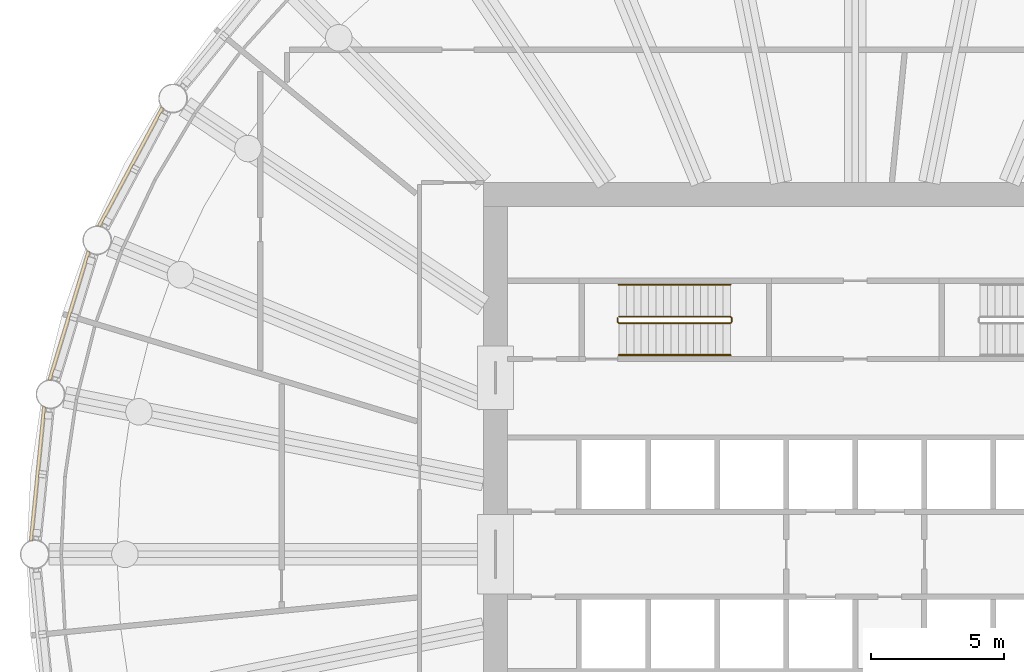
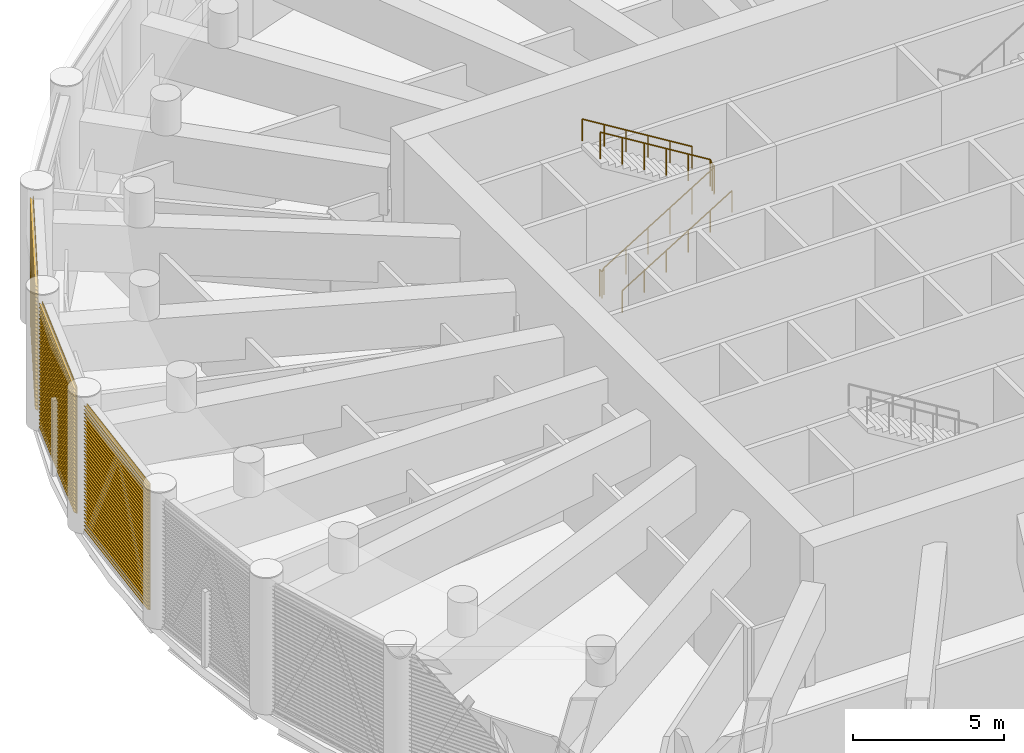
# One storey, part 20 of 23: 3 railings, 3 shading devices, 3 elements without a shape of their own.
"""IFC4 building model written with IfcOpenShell, lengths in metres."""

from ifc_helpers import new_model, si_unit, direction, frame, origin, origin_2d, place, context, subcontext, project, spatial, polyline, circle, outline, extrude, material, material_profile, profile_set, type_object, element, aggregate, save


model = new_model("IFC4")

# Units and contexts
model_context = context("Model", 3, precision=1e-05, world=origin(), true_north=direction((0.0, 1.0)))
body_context = subcontext(model_context, "Body", "Model", "MODEL_VIEW")
ifc_project = project(units=[si_unit("LENGTHUNIT", "METRE"), si_unit("AREAUNIT", "SQUARE_METRE"), si_unit("VOLUMEUNIT", "CUBIC_METRE"), si_unit("PLANEANGLEUNIT", "RADIAN"), si_unit("MASSUNIT", "GRAM", prefix="KILO")], contexts=[model_context])

# Site, building, storey
site_placement = place(None, origin())
site = spatial("IfcSite", under=ifc_project, at=site_placement, CompositionType="ELEMENT")
building_placement = place(site_placement, origin())
building = spatial("IfcBuilding", under=site, at=building_placement, Name="Corvane Civic Tower", CompositionType="ELEMENT")
storey_placement = place(building_placement, frame((0.0, 0.0, 196.0)))
storey = spatial("IfcBuildingStorey", under=building, at=storey_placement, Name="L46", CompositionType="ELEMENT", Elevation=196.0)

# Railings
ifc_material_1 = material(Name="Steel ASTM A572 Gr 50", Category="steel")
railing_type_1 = type_object("IfcRailingType", Name="ST-GUARD-1100", PredefinedType="GUARDRAIL", material=ifc_material_1)
railing_1_placement = place(storey_placement, frame((-8.949951171875, 8.89990234375, 0.0)))
element("IfcRailing", 1, at=railing_1_placement, inside=storey, type_object=railing_type_1, Name="L46 ST4 stair guard 1", PredefinedType="GUARDRAIL", context=body_context, shape_type="SweptSolid", body=[
    extrude(circle(Radius=0.02392578125, at=origin_2d()), frame((0.0, 0.0, 1.076171875), z_axis=(0.0, -1.0, 0.0), x_axis=(1.0, 0.0, 0.0)), (0.0, 0.0, 1.0), 0.14990234375),
    extrude(circle(Radius=0.02392578125, at=origin_2d()), frame((0.0, -0.14990234375, 1.076171875), z_axis=(0.269255725606, -0.269255725606, 0.92466356501), x_axis=(0.707106781187, 0.707106781187, 0.0)), (0.0, 0.0, 1.0), 0.185791015625),
    extrude(circle(Radius=0.02392578125, at=origin_2d()), frame((0.050048828125, -0.199951171875, 1.248046875), z_axis=(0.852242915053, 0.0, 0.523146264196), x_axis=(0.0, 1.0, 0.0)), (0.0, 0.0, 1.0), 4.92822265625),
    extrude(circle(Radius=0.02392578125, at=origin_2d()), frame((4.25, -0.199951171875, 3.826171875), z_axis=(0.707106781187, 0.707106781187, 0.0), x_axis=(-0.707106781187, 0.707106781187, 0.0)), (0.0, 0.0, 1.0), 0.07080078125),
    extrude(circle(Radius=0.02392578125, at=origin_2d()), frame((4.300048828125, -0.14990234375, 3.826171875), z_axis=(0.0, 1.0, 0.0), x_axis=(-1.0, 0.0, 0.0)), (0.0, 0.0, 1.0), 0.14990234375),
    extrude(circle(Radius=0.02392578125, at=origin_2d()), frame((4.300048828125, 0.0, 3.826171875), z_axis=(-0.269255725606, 0.269255725606, 0.92466356501), x_axis=(-0.707106781187, -0.707106781187, 0.0)), (0.0, 0.0, 1.0), 0.185791015625),
    extrude(circle(Radius=0.02392578125, at=origin_2d()), frame((4.25, 0.050048828125, 3.998046875), z_axis=(-0.852242915053, 0.0, 0.523146264196), x_axis=(0.0, -1.0, 0.0)), (0.0, 0.0, 1.0), 4.92822265625),
    extrude(circle(Radius=0.02099609375, at=origin_2d()), origin(), (0.0, 0.0, 1.0), 1.052001953125),
    extrude(circle(Radius=0.02099609375, at=origin_2d()), frame((0.0, -0.14990234375, 0.0)), (0.0, 0.0, 1.0), 1.052001953125),
    extrude(circle(Radius=0.02099609375, at=origin_2d()), frame((0.050048828125, -0.199951171875, 0.171875)), (0.0, 0.0, 1.0), 1.052001953125),
    extrude(circle(Radius=0.02099609375, at=origin_2d()), frame((0.89013671875, -0.199951171875, 0.6875)), (0.0, 0.0, 1.0), 1.052001953125),
    extrude(circle(Radius=0.02099609375, at=origin_2d()), frame((1.72998046875, -0.199951171875, 1.203125)), (0.0, 0.0, 1.0), 1.052001953125),
    extrude(circle(Radius=0.02099609375, at=origin_2d()), frame((2.570068359375, -0.199951171875, 1.71875)), (0.0, 0.0, 1.0), 1.052001953125),
    extrude(circle(Radius=0.02099609375, at=origin_2d()), frame((3.409912109375, -0.199951171875, 2.234375)), (0.0, 0.0, 1.0), 1.052001953125),
    extrude(circle(Radius=0.02099609375, at=origin_2d()), frame((4.25, -0.199951171875, 2.75)), (0.0, 0.0, 1.0), 1.052001953125),
    extrude(circle(Radius=0.02099609375, at=origin_2d()), frame((4.300048828125, -0.14990234375, 2.75)), (0.0, 0.0, 1.0), 1.052001953125),
    extrude(circle(Radius=0.02099609375, at=origin_2d()), frame((4.300048828125, 0.0, 2.75)), (0.0, 0.0, 1.0), 1.052001953125),
    extrude(circle(Radius=0.02099609375, at=origin_2d()), frame((4.25, 0.050048828125, 2.921875)), (0.0, 0.0, 1.0), 1.052001953125),
    extrude(circle(Radius=0.02099609375, at=origin_2d()), frame((3.409912109375, 0.050048828125, 3.4375)), (0.0, 0.0, 1.0), 1.052001953125),
    extrude(circle(Radius=0.02099609375, at=origin_2d()), frame((2.570068359375, 0.050048828125, 3.953125)), (0.0, 0.0, 1.0), 1.052001953125),
    extrude(circle(Radius=0.02099609375, at=origin_2d()), frame((1.72998046875, 0.050048828125, 4.46875)), (0.0, 0.0, 1.0), 1.052001953125),
    extrude(circle(Radius=0.02099609375, at=origin_2d()), frame((0.89013671875, 0.050048828125, 4.984375)), (0.0, 0.0, 1.0), 1.052001953125),
    extrude(circle(Radius=0.02099609375, at=origin_2d()), frame((0.050048828125, 0.050048828125, 5.5)), (0.0, 0.0, 1.0), 1.052001953125),
])
ifc_material_2 = material(Name="Steel ASTM A572 Gr 50", Category="steel")
railing_type_2 = type_object("IfcRailingType", Name="ST-HANDRAIL-900", PredefinedType="HANDRAIL", material=ifc_material_2)
railing_2_placement = place(storey_placement, frame((-8.89990234375, 7.5, 0.171875)))
element("IfcRailing", 2, at=railing_2_placement, inside=storey, type_object=railing_type_2, Name="L46 ST4 stair handrail 1", PredefinedType="HANDRAIL", context=body_context, shape_type="SweptSolid", body=[
    extrude(circle(Radius=0.02392578125, at=origin_2d()), frame((0.0, 0.0, 0.8759765625), z_axis=(0.852242915053, 0.0, 0.523146264196), x_axis=(0.0, 1.0, 0.0)), (0.0, 0.0, 1.0), 4.92822265625),
    extrude(circle(Radius=0.02099609375, at=origin_2d()), origin(), (0.0, 0.0, 1.0), 0.851806640625),
    extrude(circle(Radius=0.02099609375, at=origin_2d()), frame((0.840087890625, 0.0, 0.515625)), (0.0, 0.0, 1.0), 0.851806640625),
    extrude(circle(Radius=0.02099609375, at=origin_2d()), frame((1.679931640625, 0.0, 1.03125)), (0.0, 0.0, 1.0), 0.851806640625),
    extrude(circle(Radius=0.02099609375, at=origin_2d()), frame((2.52001953125, 0.0, 1.546875)), (0.0, 0.0, 1.0), 0.851806640625),
    extrude(circle(Radius=0.02099609375, at=origin_2d()), frame((3.35986328125, 0.0, 2.0625)), (0.0, 0.0, 1.0), 0.851806640625),
    extrude(circle(Radius=0.02099609375, at=origin_2d()), frame((4.199951171875, 0.0, 2.578125)), (0.0, 0.0, 1.0), 0.851806640625),
])
railing_3_placement = place(storey_placement, frame((-4.699951171875, 10.14990234375, 2.921875)))
element("IfcRailing", 3, at=railing_3_placement, inside=storey, type_object=railing_type_2, Name="L46 ST4 stair handrail 2", PredefinedType="HANDRAIL", context=body_context, shape_type="SweptSolid", body=[
    extrude(circle(Radius=0.02392578125, at=origin_2d()), frame((0.0, 0.0, 0.8759765625), z_axis=(-0.852242915053, 0.0, 0.523146264196), x_axis=(0.0, -1.0, 0.0)), (0.0, 0.0, 1.0), 4.92822265625),
    extrude(circle(Radius=0.02099609375, at=origin_2d()), origin(), (0.0, 0.0, 1.0), 0.851806640625),
    extrude(circle(Radius=0.02099609375, at=origin_2d()), frame((-0.840087890625, 0.0, 0.515625)), (0.0, 0.0, 1.0), 0.851806640625),
    extrude(circle(Radius=0.02099609375, at=origin_2d()), frame((-1.679931640625, 0.0, 1.03125)), (0.0, 0.0, 1.0), 0.851806640625),
    extrude(circle(Radius=0.02099609375, at=origin_2d()), frame((-2.52001953125, 0.0, 1.546875)), (0.0, 0.0, 1.0), 0.851806640625),
    extrude(circle(Radius=0.02099609375, at=origin_2d()), frame((-3.35986328125, 0.0, 2.0625)), (0.0, 0.0, 1.0), 0.851806640625),
    extrude(circle(Radius=0.02099609375, at=origin_2d()), frame((-4.199951171875, 0.0, 2.578125)), (0.0, 0.0, 1.0), 0.851806640625),
])

# Curtain wall, shading device
ifc_material_3 = material(Name="Anodised aluminium bronze", Category="aluminium")
curtain_wall_type = type_object("IfcCurtainWallType", Name="TOWER CW-LV LOUVRE SCREEN WALL", PredefinedType="NOTDEFINED", material=ifc_material_3)
curtain_wall_1_placement = place(storey_placement, origin())
curtain_wall_1 = element("IfcCurtainWall", 4, at=curtain_wall_1_placement, inside=storey, type_object=curtain_wall_type, Name="Louvre screen wall CW-LV L46 bay 25", PredefinedType="NOTDEFINED")
ifc_material_4 = material(Name="Anodised aluminium bronze", Category="aluminium")
ifc_material_profile = material_profile(ifc_material_4, outline(polyline([(-0.06005859375, -2.56494140625), (-0.0400390625, -2.56494140625), (0.06005859375, -2.492919921875), (0.06005859375, -2.472900390625), (-0.0400390625, -2.544921875), (-0.0400390625, -2.4140625), (0.06005859375, -2.342041015625), (0.06005859375, -2.322021484375), (-0.0400390625, -2.39404296875), (-0.0400390625, -2.26318359375), (0.06005859375, -2.191162109375), (0.06005859375, -2.171142578125), (-0.0400390625, -2.2431640625), (-0.0400390625, -2.1123046875), (0.06005859375, -2.040283203125), (0.06005859375, -2.0205078125), (-0.0400390625, -2.09228515625), (-0.0400390625, -1.96142578125), (0.06005859375, -1.889404296875), (0.06005859375, -1.869384765625), (-0.0400390625, -1.94140625), (-0.0400390625, -1.810546875), (0.06005859375, -1.738525390625), (0.06005859375, -1.718505859375), (-0.0400390625, -1.79052734375), (-0.0400390625, -1.65966796875), (0.06005859375, -1.587646484375), (0.06005859375, -1.567626953125), (-0.0400390625, -1.6396484375), (-0.0400390625, -1.5087890625), (0.06005859375, -1.436767578125), (0.06005859375, -1.416748046875), (-0.0400390625, -1.48876953125), (-0.0400390625, -1.35791015625), (0.06005859375, -1.285888671875), (0.06005859375, -1.265869140625), (-0.0400390625, -1.337890625), (-0.0400390625, -1.20703125), (0.06005859375, -1.135009765625), (0.06005859375, -1.114990234375), (-0.0400390625, -1.18701171875), (-0.0400390625, -1.05615234375), (0.06005859375, -0.984130859375), (0.06005859375, -0.964111328125), (-0.0400390625, -1.0361328125), (-0.0400390625, -0.9052734375), (0.06005859375, -0.833251953125), (0.06005859375, -0.813232421875), (-0.0400390625, -0.88525390625), (-0.0400390625, -0.75439453125), (0.06005859375, -0.682373046875), (0.06005859375, -0.662353515625), (-0.0400390625, -0.734375), (-0.0400390625, -0.603515625), (0.06005859375, -0.531494140625), (0.06005859375, -0.511474609375), (-0.0400390625, -0.58349609375), (-0.0400390625, -0.45263671875), (0.06005859375, -0.380615234375), (0.06005859375, -0.360595703125), (-0.0400390625, -0.4326171875), (-0.0400390625, -0.3017578125), (0.06005859375, -0.229736328125), (0.06005859375, -0.209716796875), (-0.0400390625, -0.28173828125), (-0.0400390625, -0.15087890625), (0.06005859375, -0.078857421875), (0.06005859375, -0.058837890625), (-0.0400390625, -0.130859375), (-0.0400390625, 0.0), (0.06005859375, 0.072021484375), (0.06005859375, 0.092041015625), (-0.0400390625, 0.02001953125), (-0.0400390625, 0.15087890625), (0.06005859375, 0.222900390625), (0.06005859375, 0.242919921875), (-0.0400390625, 0.1708984375), (-0.0400390625, 0.3017578125), (0.06005859375, 0.373779296875), (0.06005859375, 0.393798828125), (-0.0400390625, 0.32177734375), (-0.0400390625, 0.45263671875), (0.06005859375, 0.524658203125), (0.06005859375, 0.544677734375), (-0.0400390625, 0.47265625), (-0.0400390625, 0.603515625), (0.06005859375, 0.675537109375), (0.06005859375, 0.695556640625), (-0.0400390625, 0.62353515625), (-0.0400390625, 0.75439453125), (0.06005859375, 0.826416015625), (0.06005859375, 0.846435546875), (-0.0400390625, 0.7744140625), (-0.0400390625, 0.9052734375), (0.06005859375, 0.977294921875), (0.06005859375, 0.997314453125), (-0.0400390625, 0.92529296875), (-0.0400390625, 1.05615234375), (0.06005859375, 1.128173828125), (0.06005859375, 1.148193359375), (-0.0400390625, 1.076171875), (-0.0400390625, 1.20703125), (0.06005859375, 1.279052734375), (0.06005859375, 1.299072265625), (-0.0400390625, 1.22705078125), (-0.0400390625, 1.35791015625), (0.06005859375, 1.429931640625), (0.06005859375, 1.449951171875), (-0.0400390625, 1.3779296875), (-0.0400390625, 1.5087890625), (0.06005859375, 1.580810546875), (0.06005859375, 1.600830078125), (-0.0400390625, 1.52880859375), (-0.0400390625, 1.65966796875), (0.06005859375, 1.731689453125), (0.06005859375, 1.751708984375), (-0.0400390625, 1.6796875), (-0.0400390625, 1.810546875), (0.06005859375, 1.882568359375), (0.06005859375, 1.902587890625), (-0.0400390625, 1.83056640625), (-0.0400390625, 1.96142578125), (0.06005859375, 2.033447265625), (0.06005859375, 2.053466796875), (-0.0400390625, 1.9814453125), (-0.0400390625, 2.1123046875), (0.06005859375, 2.184326171875), (0.06005859375, 2.204345703125), (-0.0400390625, 2.13232421875), (-0.0400390625, 2.26318359375), (0.06005859375, 2.335205078125), (0.06005859375, 2.355224609375), (-0.0400390625, 2.283203125), (-0.0400390625, 2.4140625), (0.06005859375, 2.486083984375), (0.06005859375, 2.506103515625), (-0.0400390625, 2.43408203125), (-0.0400390625, 2.56494140625), (-0.06005859375, 2.56494140625), (-0.06005859375, -2.56494140625)])), Name="TOWER LOUVRE BANK 5130 BRONZE")
ifc_profile_set = profile_set([ifc_material_profile], Name="Anodised aluminium bronze")
shading_device_type = type_object("IfcShadingDeviceType", Name="TOWER LOUVRE BANK 5130 BRONZE", PredefinedType="USERDEFINED", material=ifc_profile_set)
shading_device_1_placement = place(storey_placement, frame((-31.0302734375, 0.505126953125, 2.68505859375), z_axis=(0.097989755963, 0.995187423416, 0.0), x_axis=(-0.995187423416, 0.097989755963, 0.0)))
shading_device_1 = element("IfcShadingDevice", 5, at=shading_device_1_placement, type_object=shading_device_type, Name="Louvre bank L46 25.1", ObjectType="LOUVRE", PredefinedType="USERDEFINED", context=body_context, shape_type="SweptSolid", body=[
    extrude(outline(polyline([(-0.06005859375, -2.56494140625), (-0.0400390625, -2.56494140625), (0.06005859375, -2.492919921875), (0.06005859375, -2.472900390625), (-0.0400390625, -2.544921875), (-0.0400390625, -2.4140625), (0.06005859375, -2.342041015625), (0.06005859375, -2.322021484375), (-0.0400390625, -2.39404296875), (-0.0400390625, -2.26318359375), (0.06005859375, -2.191162109375), (0.06005859375, -2.171142578125), (-0.0400390625, -2.2431640625), (-0.0400390625, -2.1123046875), (0.06005859375, -2.040283203125), (0.06005859375, -2.0205078125), (-0.0400390625, -2.09228515625), (-0.0400390625, -1.96142578125), (0.06005859375, -1.889404296875), (0.06005859375, -1.869384765625), (-0.0400390625, -1.94140625), (-0.0400390625, -1.810546875), (0.06005859375, -1.738525390625), (0.06005859375, -1.718505859375), (-0.0400390625, -1.79052734375), (-0.0400390625, -1.65966796875), (0.06005859375, -1.587646484375), (0.06005859375, -1.567626953125), (-0.0400390625, -1.6396484375), (-0.0400390625, -1.5087890625), (0.06005859375, -1.436767578125), (0.06005859375, -1.416748046875), (-0.0400390625, -1.48876953125), (-0.0400390625, -1.35791015625), (0.06005859375, -1.285888671875), (0.06005859375, -1.265869140625), (-0.0400390625, -1.337890625), (-0.0400390625, -1.20703125), (0.06005859375, -1.135009765625), (0.06005859375, -1.114990234375), (-0.0400390625, -1.18701171875), (-0.0400390625, -1.05615234375), (0.06005859375, -0.984130859375), (0.06005859375, -0.964111328125), (-0.0400390625, -1.0361328125), (-0.0400390625, -0.9052734375), (0.06005859375, -0.833251953125), (0.06005859375, -0.813232421875), (-0.0400390625, -0.88525390625), (-0.0400390625, -0.75439453125), (0.06005859375, -0.682373046875), (0.06005859375, -0.662353515625), (-0.0400390625, -0.734375), (-0.0400390625, -0.603515625), (0.06005859375, -0.531494140625), (0.06005859375, -0.511474609375), (-0.0400390625, -0.58349609375), (-0.0400390625, -0.45263671875), (0.06005859375, -0.380615234375), (0.06005859375, -0.360595703125), (-0.0400390625, -0.4326171875), (-0.0400390625, -0.3017578125), (0.06005859375, -0.229736328125), (0.06005859375, -0.209716796875), (-0.0400390625, -0.28173828125), (-0.0400390625, -0.15087890625), (0.06005859375, -0.078857421875), (0.06005859375, -0.058837890625), (-0.0400390625, -0.130859375), (-0.0400390625, 0.0), (0.06005859375, 0.072021484375), (0.06005859375, 0.092041015625), (-0.0400390625, 0.02001953125), (-0.0400390625, 0.15087890625), (0.06005859375, 0.222900390625), (0.06005859375, 0.242919921875), (-0.0400390625, 0.1708984375), (-0.0400390625, 0.3017578125), (0.06005859375, 0.373779296875), (0.06005859375, 0.393798828125), (-0.0400390625, 0.32177734375), (-0.0400390625, 0.45263671875), (0.06005859375, 0.524658203125), (0.06005859375, 0.544677734375), (-0.0400390625, 0.47265625), (-0.0400390625, 0.603515625), (0.06005859375, 0.675537109375), (0.06005859375, 0.695556640625), (-0.0400390625, 0.62353515625), (-0.0400390625, 0.75439453125), (0.06005859375, 0.826416015625), (0.06005859375, 0.846435546875), (-0.0400390625, 0.7744140625), (-0.0400390625, 0.9052734375), (0.06005859375, 0.977294921875), (0.06005859375, 0.997314453125), (-0.0400390625, 0.92529296875), (-0.0400390625, 1.05615234375), (0.06005859375, 1.128173828125), (0.06005859375, 1.148193359375), (-0.0400390625, 1.076171875), (-0.0400390625, 1.20703125), (0.06005859375, 1.279052734375), (0.06005859375, 1.299072265625), (-0.0400390625, 1.22705078125), (-0.0400390625, 1.35791015625), (0.06005859375, 1.429931640625), (0.06005859375, 1.449951171875), (-0.0400390625, 1.3779296875), (-0.0400390625, 1.5087890625), (0.06005859375, 1.580810546875), (0.06005859375, 1.600830078125), (-0.0400390625, 1.52880859375), (-0.0400390625, 1.65966796875), (0.06005859375, 1.731689453125), (0.06005859375, 1.751708984375), (-0.0400390625, 1.6796875), (-0.0400390625, 1.810546875), (0.06005859375, 1.882568359375), (0.06005859375, 1.902587890625), (-0.0400390625, 1.83056640625), (-0.0400390625, 1.96142578125), (0.06005859375, 2.033447265625), (0.06005859375, 2.053466796875), (-0.0400390625, 1.9814453125), (-0.0400390625, 2.1123046875), (0.06005859375, 2.184326171875), (0.06005859375, 2.204345703125), (-0.0400390625, 2.13232421875), (-0.0400390625, 2.26318359375), (0.06005859375, 2.335205078125), (0.06005859375, 2.355224609375), (-0.0400390625, 2.283203125), (-0.0400390625, 2.4140625), (0.06005859375, 2.486083984375), (0.06005859375, 2.506103515625), (-0.0400390625, 2.43408203125), (-0.0400390625, 2.56494140625), (-0.06005859375, 2.56494140625), (-0.06005859375, -2.56494140625)])), origin(), (0.0, 0.0, 1.0), 5.07763671875),
])
aggregate(curtain_wall_1, [shading_device_1])

curtain_wall_2_placement = place(storey_placement, origin())
curtain_wall_2 = element("IfcCurtainWall", 6, at=curtain_wall_2_placement, inside=storey, type_object=curtain_wall_type, Name="Louvre screen wall CW-LV L46 bay 26", PredefinedType="NOTDEFINED")
shading_device_2_placement = place(storey_placement, frame((-30.33544921875, 6.54931640625, 2.68505859375), z_axis=(0.290288977061, 0.956939031389, 0.0), x_axis=(-0.956939031389, 0.290288977061, 0.0)))
shading_device_2 = element("IfcShadingDevice", 7, at=shading_device_2_placement, type_object=shading_device_type, Name="Louvre bank L46 26.1", ObjectType="LOUVRE", PredefinedType="USERDEFINED", context=body_context, shape_type="SweptSolid", body=[
    extrude(outline(polyline([(-0.06005859375, -2.56494140625), (-0.0400390625, -2.56494140625), (0.06005859375, -2.492919921875), (0.06005859375, -2.472900390625), (-0.0400390625, -2.544921875), (-0.0400390625, -2.4140625), (0.06005859375, -2.342041015625), (0.06005859375, -2.322021484375), (-0.0400390625, -2.39404296875), (-0.0400390625, -2.26318359375), (0.06005859375, -2.191162109375), (0.06005859375, -2.171142578125), (-0.0400390625, -2.2431640625), (-0.0400390625, -2.1123046875), (0.06005859375, -2.040283203125), (0.06005859375, -2.0205078125), (-0.0400390625, -2.09228515625), (-0.0400390625, -1.96142578125), (0.06005859375, -1.889404296875), (0.06005859375, -1.869384765625), (-0.0400390625, -1.94140625), (-0.0400390625, -1.810546875), (0.06005859375, -1.738525390625), (0.06005859375, -1.718505859375), (-0.0400390625, -1.79052734375), (-0.0400390625, -1.65966796875), (0.06005859375, -1.587646484375), (0.06005859375, -1.567626953125), (-0.0400390625, -1.6396484375), (-0.0400390625, -1.5087890625), (0.06005859375, -1.436767578125), (0.06005859375, -1.416748046875), (-0.0400390625, -1.48876953125), (-0.0400390625, -1.35791015625), (0.06005859375, -1.285888671875), (0.06005859375, -1.265869140625), (-0.0400390625, -1.337890625), (-0.0400390625, -1.20703125), (0.06005859375, -1.135009765625), (0.06005859375, -1.114990234375), (-0.0400390625, -1.18701171875), (-0.0400390625, -1.05615234375), (0.06005859375, -0.984130859375), (0.06005859375, -0.964111328125), (-0.0400390625, -1.0361328125), (-0.0400390625, -0.9052734375), (0.06005859375, -0.833251953125), (0.06005859375, -0.813232421875), (-0.0400390625, -0.88525390625), (-0.0400390625, -0.75439453125), (0.06005859375, -0.682373046875), (0.06005859375, -0.662353515625), (-0.0400390625, -0.734375), (-0.0400390625, -0.603515625), (0.06005859375, -0.531494140625), (0.06005859375, -0.511474609375), (-0.0400390625, -0.58349609375), (-0.0400390625, -0.45263671875), (0.06005859375, -0.380615234375), (0.06005859375, -0.360595703125), (-0.0400390625, -0.4326171875), (-0.0400390625, -0.3017578125), (0.06005859375, -0.229736328125), (0.06005859375, -0.209716796875), (-0.0400390625, -0.28173828125), (-0.0400390625, -0.15087890625), (0.06005859375, -0.078857421875), (0.06005859375, -0.058837890625), (-0.0400390625, -0.130859375), (-0.0400390625, 0.0), (0.06005859375, 0.072021484375), (0.06005859375, 0.092041015625), (-0.0400390625, 0.02001953125), (-0.0400390625, 0.15087890625), (0.06005859375, 0.222900390625), (0.06005859375, 0.242919921875), (-0.0400390625, 0.1708984375), (-0.0400390625, 0.3017578125), (0.06005859375, 0.373779296875), (0.06005859375, 0.393798828125), (-0.0400390625, 0.32177734375), (-0.0400390625, 0.45263671875), (0.06005859375, 0.524658203125), (0.06005859375, 0.544677734375), (-0.0400390625, 0.47265625), (-0.0400390625, 0.603515625), (0.06005859375, 0.675537109375), (0.06005859375, 0.695556640625), (-0.0400390625, 0.62353515625), (-0.0400390625, 0.75439453125), (0.06005859375, 0.826416015625), (0.06005859375, 0.846435546875), (-0.0400390625, 0.7744140625), (-0.0400390625, 0.9052734375), (0.06005859375, 0.977294921875), (0.06005859375, 0.997314453125), (-0.0400390625, 0.92529296875), (-0.0400390625, 1.05615234375), (0.06005859375, 1.128173828125), (0.06005859375, 1.148193359375), (-0.0400390625, 1.076171875), (-0.0400390625, 1.20703125), (0.06005859375, 1.279052734375), (0.06005859375, 1.299072265625), (-0.0400390625, 1.22705078125), (-0.0400390625, 1.35791015625), (0.06005859375, 1.429931640625), (0.06005859375, 1.449951171875), (-0.0400390625, 1.3779296875), (-0.0400390625, 1.5087890625), (0.06005859375, 1.580810546875), (0.06005859375, 1.600830078125), (-0.0400390625, 1.52880859375), (-0.0400390625, 1.65966796875), (0.06005859375, 1.731689453125), (0.06005859375, 1.751708984375), (-0.0400390625, 1.6796875), (-0.0400390625, 1.810546875), (0.06005859375, 1.882568359375), (0.06005859375, 1.902587890625), (-0.0400390625, 1.83056640625), (-0.0400390625, 1.96142578125), (0.06005859375, 2.033447265625), (0.06005859375, 2.053466796875), (-0.0400390625, 1.9814453125), (-0.0400390625, 2.1123046875), (0.06005859375, 2.184326171875), (0.06005859375, 2.204345703125), (-0.0400390625, 2.13232421875), (-0.0400390625, 2.26318359375), (0.06005859375, 2.335205078125), (0.06005859375, 2.355224609375), (-0.0400390625, 2.283203125), (-0.0400390625, 2.4140625), (0.06005859375, 2.486083984375), (0.06005859375, 2.506103515625), (-0.0400390625, 2.43408203125), (-0.0400390625, 2.56494140625), (-0.06005859375, 2.56494140625), (-0.06005859375, -2.56494140625)])), origin(), (0.0, 0.0, 1.0), 5.077392578125),
])
aggregate(curtain_wall_2, [shading_device_2])

curtain_wall_3_placement = place(storey_placement, origin())
curtain_wall_3 = element("IfcCurtainWall", 8, at=curtain_wall_3_placement, inside=storey, type_object=curtain_wall_type, Name="Louvre screen wall CW-LV L46 bay 27", PredefinedType="NOTDEFINED")
shading_device_3_placement = place(storey_placement, frame((-28.474853515625, 12.341552734375, 2.68505859375), z_axis=(0.471396615074, 0.881921329426, 0.0), x_axis=(-0.881921329426, 0.471396615074, 0.0)))
shading_device_3 = element("IfcShadingDevice", 9, at=shading_device_3_placement, type_object=shading_device_type, Name="Louvre bank L46 27.1", ObjectType="LOUVRE", PredefinedType="USERDEFINED", context=body_context, shape_type="SweptSolid", body=[
    extrude(outline(polyline([(-0.06005859375, -2.56494140625), (-0.0400390625, -2.56494140625), (0.06005859375, -2.492919921875), (0.06005859375, -2.472900390625), (-0.0400390625, -2.544921875), (-0.0400390625, -2.4140625), (0.06005859375, -2.342041015625), (0.06005859375, -2.322021484375), (-0.0400390625, -2.39404296875), (-0.0400390625, -2.26318359375), (0.06005859375, -2.191162109375), (0.06005859375, -2.171142578125), (-0.0400390625, -2.2431640625), (-0.0400390625, -2.1123046875), (0.06005859375, -2.040283203125), (0.06005859375, -2.0205078125), (-0.0400390625, -2.09228515625), (-0.0400390625, -1.96142578125), (0.06005859375, -1.889404296875), (0.06005859375, -1.869384765625), (-0.0400390625, -1.94140625), (-0.0400390625, -1.810546875), (0.06005859375, -1.738525390625), (0.06005859375, -1.718505859375), (-0.0400390625, -1.79052734375), (-0.0400390625, -1.65966796875), (0.06005859375, -1.587646484375), (0.06005859375, -1.567626953125), (-0.0400390625, -1.6396484375), (-0.0400390625, -1.5087890625), (0.06005859375, -1.436767578125), (0.06005859375, -1.416748046875), (-0.0400390625, -1.48876953125), (-0.0400390625, -1.35791015625), (0.06005859375, -1.285888671875), (0.06005859375, -1.265869140625), (-0.0400390625, -1.337890625), (-0.0400390625, -1.20703125), (0.06005859375, -1.135009765625), (0.06005859375, -1.114990234375), (-0.0400390625, -1.18701171875), (-0.0400390625, -1.05615234375), (0.06005859375, -0.984130859375), (0.06005859375, -0.964111328125), (-0.0400390625, -1.0361328125), (-0.0400390625, -0.9052734375), (0.06005859375, -0.833251953125), (0.06005859375, -0.813232421875), (-0.0400390625, -0.88525390625), (-0.0400390625, -0.75439453125), (0.06005859375, -0.682373046875), (0.06005859375, -0.662353515625), (-0.0400390625, -0.734375), (-0.0400390625, -0.603515625), (0.06005859375, -0.531494140625), (0.06005859375, -0.511474609375), (-0.0400390625, -0.58349609375), (-0.0400390625, -0.45263671875), (0.06005859375, -0.380615234375), (0.06005859375, -0.360595703125), (-0.0400390625, -0.4326171875), (-0.0400390625, -0.3017578125), (0.06005859375, -0.229736328125), (0.06005859375, -0.209716796875), (-0.0400390625, -0.28173828125), (-0.0400390625, -0.15087890625), (0.06005859375, -0.078857421875), (0.06005859375, -0.058837890625), (-0.0400390625, -0.130859375), (-0.0400390625, 0.0), (0.06005859375, 0.072021484375), (0.06005859375, 0.092041015625), (-0.0400390625, 0.02001953125), (-0.0400390625, 0.15087890625), (0.06005859375, 0.222900390625), (0.06005859375, 0.242919921875), (-0.0400390625, 0.1708984375), (-0.0400390625, 0.3017578125), (0.06005859375, 0.373779296875), (0.06005859375, 0.393798828125), (-0.0400390625, 0.32177734375), (-0.0400390625, 0.45263671875), (0.06005859375, 0.524658203125), (0.06005859375, 0.544677734375), (-0.0400390625, 0.47265625), (-0.0400390625, 0.603515625), (0.06005859375, 0.675537109375), (0.06005859375, 0.695556640625), (-0.0400390625, 0.62353515625), (-0.0400390625, 0.75439453125), (0.06005859375, 0.826416015625), (0.06005859375, 0.846435546875), (-0.0400390625, 0.7744140625), (-0.0400390625, 0.9052734375), (0.06005859375, 0.977294921875), (0.06005859375, 0.997314453125), (-0.0400390625, 0.92529296875), (-0.0400390625, 1.05615234375), (0.06005859375, 1.128173828125), (0.06005859375, 1.148193359375), (-0.0400390625, 1.076171875), (-0.0400390625, 1.20703125), (0.06005859375, 1.279052734375), (0.06005859375, 1.299072265625), (-0.0400390625, 1.22705078125), (-0.0400390625, 1.35791015625), (0.06005859375, 1.429931640625), (0.06005859375, 1.449951171875), (-0.0400390625, 1.3779296875), (-0.0400390625, 1.5087890625), (0.06005859375, 1.580810546875), (0.06005859375, 1.600830078125), (-0.0400390625, 1.52880859375), (-0.0400390625, 1.65966796875), (0.06005859375, 1.731689453125), (0.06005859375, 1.751708984375), (-0.0400390625, 1.6796875), (-0.0400390625, 1.810546875), (0.06005859375, 1.882568359375), (0.06005859375, 1.902587890625), (-0.0400390625, 1.83056640625), (-0.0400390625, 1.96142578125), (0.06005859375, 2.033447265625), (0.06005859375, 2.053466796875), (-0.0400390625, 1.9814453125), (-0.0400390625, 2.1123046875), (0.06005859375, 2.184326171875), (0.06005859375, 2.204345703125), (-0.0400390625, 2.13232421875), (-0.0400390625, 2.26318359375), (0.06005859375, 2.335205078125), (0.06005859375, 2.355224609375), (-0.0400390625, 2.283203125), (-0.0400390625, 2.4140625), (0.06005859375, 2.486083984375), (0.06005859375, 2.506103515625), (-0.0400390625, 2.43408203125), (-0.0400390625, 2.56494140625), (-0.06005859375, 2.56494140625), (-0.06005859375, -2.56494140625)])), origin(), (0.0, 0.0, 1.0), 5.07763671875),
])
aggregate(curtain_wall_3, [shading_device_3])

save(model, "model.ifc")
